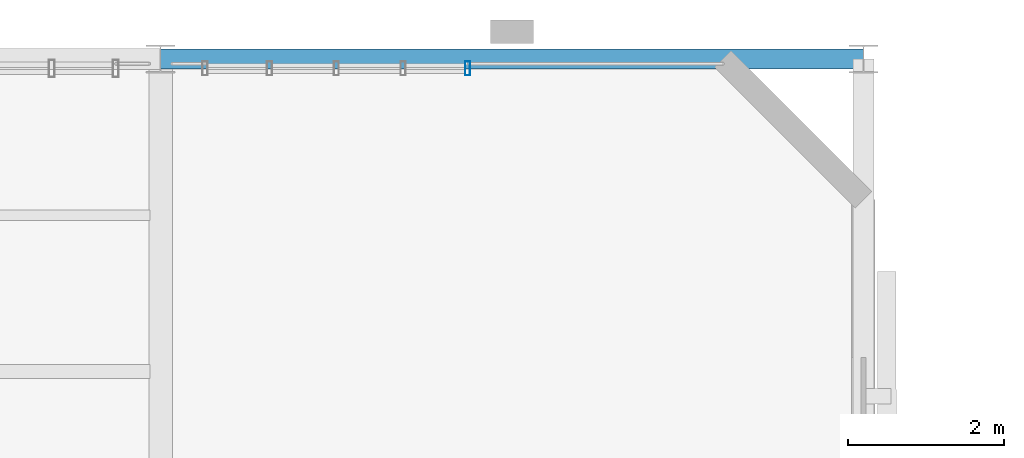
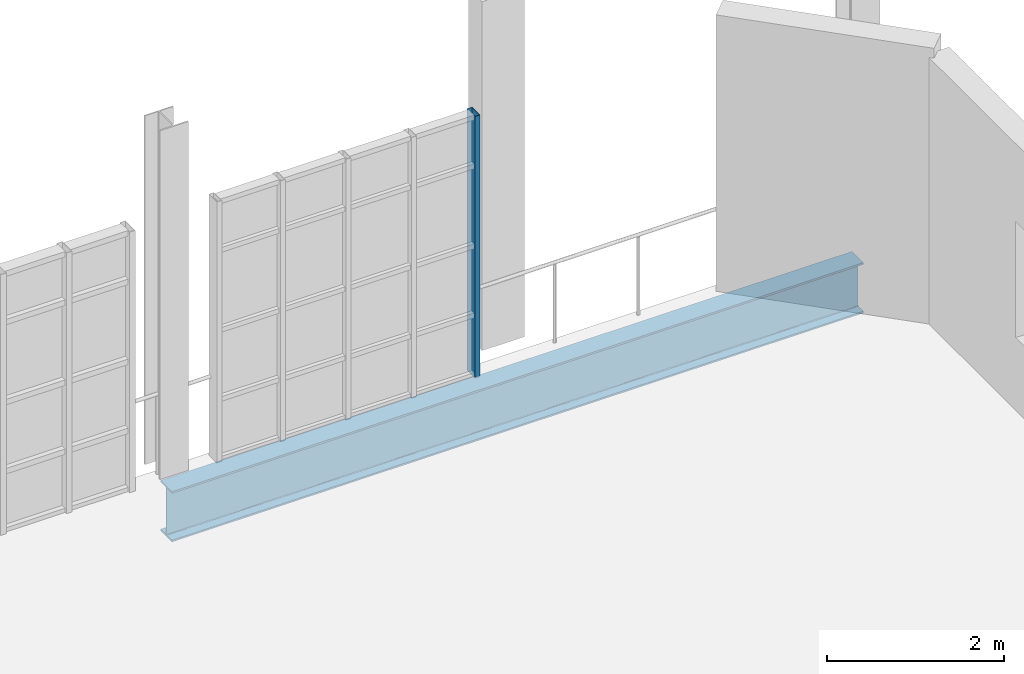
# One storey, part 53 of 122: 1 beam, 1 member, 1 element without a shape of its own.
"""IFC4 building model written with IfcOpenShell, lengths in metres."""

from ifc_helpers import new_model, si_unit, direction, frame, origin, origin_2d, place, context, subcontext, project, spatial, hollow_rectangle, i_section, extrude, material, layer, layer_set, material_profile, profile_set, type_object, element, aggregate, save


model = new_model("IFC4")

# Units and contexts
model_context = context("Model", 3, precision=1e-05, world=origin(), true_north=direction((0.0, 1.0)))
body_context = subcontext(model_context, "Body", "Model", "MODEL_VIEW")
ifc_project = project(units=[si_unit("LENGTHUNIT", "METRE"), si_unit("AREAUNIT", "SQUARE_METRE"), si_unit("VOLUMEUNIT", "CUBIC_METRE"), si_unit("PLANEANGLEUNIT", "RADIAN"), si_unit("MASSUNIT", "GRAM", prefix="KILO"), si_unit("THERMODYNAMICTEMPERATUREUNIT", "KELVIN"), si_unit("POWERUNIT", "WATT")], contexts=[model_context])

# Site, building, storey
site_placement = place(None, origin())
site = spatial("IfcSite", under=ifc_project, at=site_placement, CompositionType="ELEMENT")
building_placement = place(site_placement, origin())
building = spatial("IfcBuilding", under=site, at=building_placement, Name="Zelmaris Science Centre", CompositionType="ELEMENT")
storey_placement = place(building_placement, frame((0.0, 0.0, 10.800048828125)))
storey = spatial("IfcBuildingStorey", under=building, at=storey_placement, Name="L02", CompositionType="ELEMENT", Elevation=10.800048828125)

# Curtain wall, member
ifc_material_1 = material(Name="Anodised architectural aluminium 6063-T6", Category="aluminium")
ifc_layer = layer(ifc_material_1, 0.2099609375, Name="Anodised architectural aluminium 6063-T6")
ifc_layer_set = layer_set([ifc_layer], Name="Anodised architectural aluminium 6063-T6")
curtain_wall_type = type_object("IfcCurtainWallType", Name="Curtain Wall CW-03", PredefinedType="USERDEFINED", material=ifc_layer_set)
curtain_wall_placement = place(storey_placement, origin())
curtain_wall = element("IfcCurtainWall", 1, at=curtain_wall_placement, inside=storey, type_object=curtain_wall_type, Name="L02 Unitised curtain wall 215", ObjectType="GLAZED CURTAIN WALL", PredefinedType="USERDEFINED")
ifc_material_profile_1 = material_profile(ifc_material_1, hollow_rectangle(XDim=0.06494140625, YDim=0.179931640625, WallThickness=0.00390625, at=origin_2d()), Name="ALU-MUL-65X180")
ifc_profile_set_1 = profile_set([ifc_material_profile_1], Name="Anodised architectural aluminium 6063-T6")
member_type = type_object("IfcMemberType", Name="ALU-MUL-65X180", PredefinedType="MULLION", material=ifc_profile_set_1)
member_placement = place(storey_placement, frame((102.931396484375, 87.8798828125, -0.01513671875), z_axis=(0.0, 0.0, 1.0), x_axis=(1.0, 0.0, 0.0)))
member = element("IfcMember", 2, at=member_placement, type_object=member_type, Name="CW-03 mullion 5", PredefinedType="MULLION", context=body_context, shape_type="SweptSolid", body=[
    extrude(hollow_rectangle(XDim=0.06494140625, YDim=0.179931640625, WallThickness=0.00390625, at=origin_2d()), origin(), (0.0, 0.0, 1.0), 3.60107421875),
])
aggregate(curtain_wall, [member])

# Beam
ifc_material_2 = material(Name="Steel ASTM A992 Grade 50", Category="steel")
ifc_material_profile_2 = material_profile(ifc_material_2, i_section(OverallWidth=0.257080078125, OverallDepth=0.693115234375, WebThickness=0.014404296875, FlangeThickness=0.023681640625, FilletRadius=0.01806640625, at=origin_2d()), Name="W27X114")
ifc_profile_set_2 = profile_set([ifc_material_profile_2], Name="Steel ASTM A992 Grade 50")
beam_type = type_object("IfcBeamType", Name="Beam G-12 W27X114", PredefinedType="BEAM", material=ifc_profile_set_2)
beam_placement = place(storey_placement, frame((99.0, 88.0, -0.6064453125), z_axis=(1.0, 0.0, 0.0), x_axis=(0.0, 1.0, 0.0)))
element("IfcBeam", 3, at=beam_placement, inside=storey, type_object=beam_type, Name="L02 East-west girder 595", PredefinedType="BEAM", context=body_context, shape_type="SweptSolid", body=[
    extrude(i_section(OverallWidth=0.257080078125, OverallDepth=0.693115234375, WebThickness=0.014404296875, FlangeThickness=0.023681640625, FilletRadius=0.01806640625, at=origin_2d()), origin(), (0.0, 0.0, 1.0), 9.0),
])

save(model, "model.ifc")
